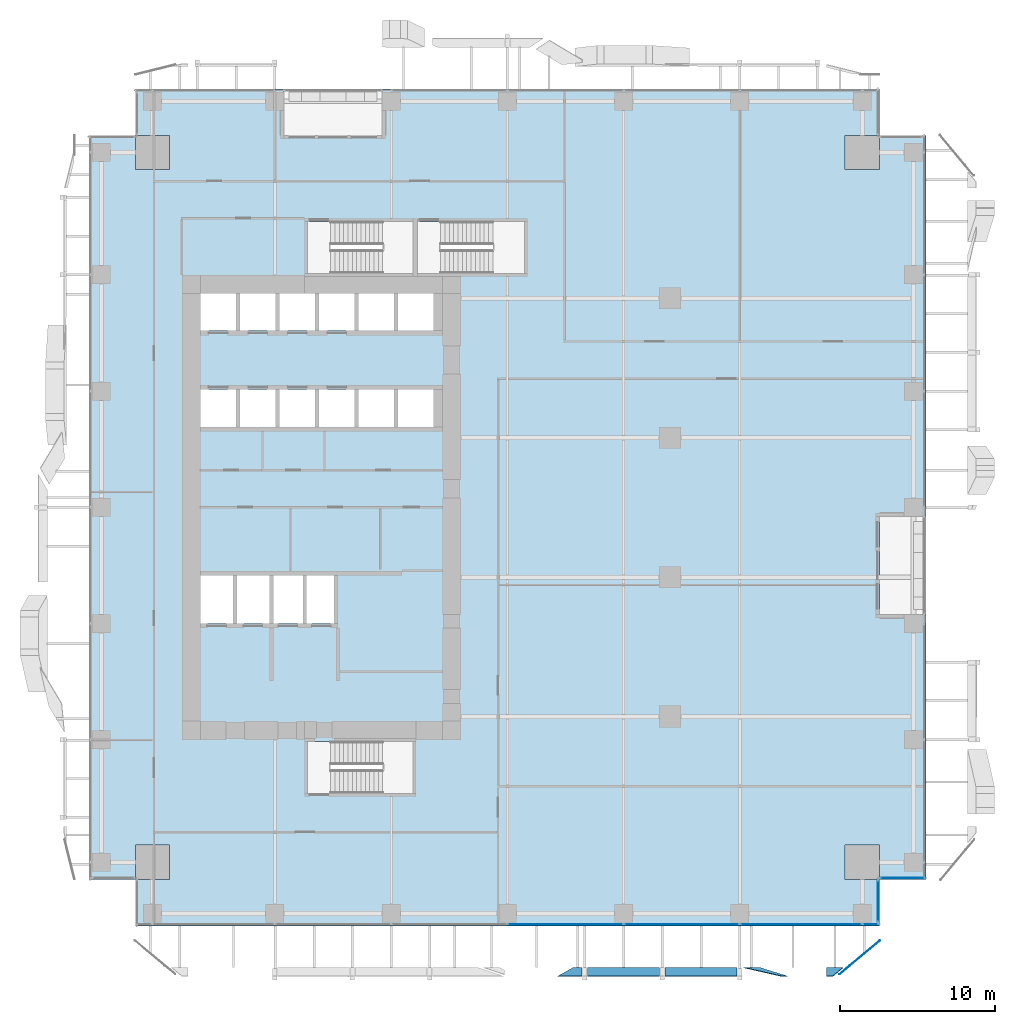
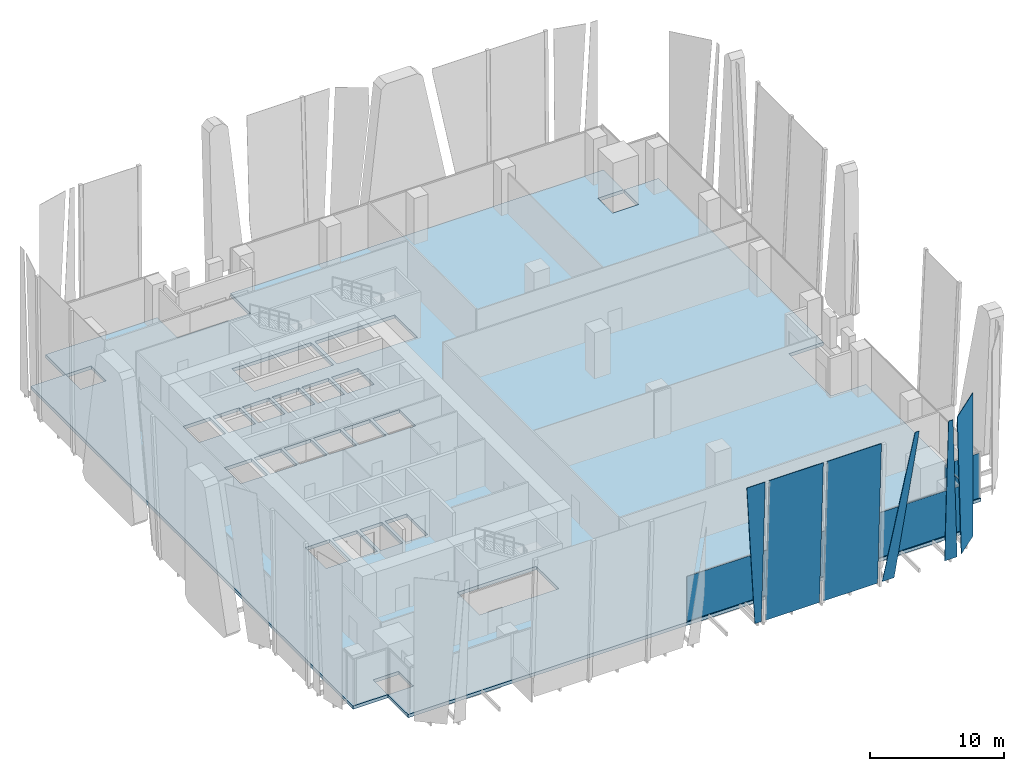
# One storey, part 22 of 34: 12 plates, 1 slab, 3 elements without a shape of their own.
"""IFC4 building model written with IfcOpenShell, lengths in metres."""

from ifc_helpers import new_model, si_unit, direction, frame, origin, origin_2d, place, context, subcontext, project, spatial, polyline, rectangle, outline, extrude, source, transform, mapped, material, layer, layer_set, type_object, element, aggregate, save


model = new_model("IFC4")

# Units and contexts
model_context = context("Model", 3, precision=1e-05, world=origin(), true_north=direction((0.0, 1.0)))
body_context = subcontext(model_context, "Body", "Model", "MODEL_VIEW")
ifc_project = project(units=[si_unit("LENGTHUNIT", "METRE"), si_unit("AREAUNIT", "SQUARE_METRE"), si_unit("VOLUMEUNIT", "CUBIC_METRE"), si_unit("PLANEANGLEUNIT", "RADIAN"), si_unit("MASSUNIT", "GRAM", prefix="KILO")], contexts=[model_context])

# Site, building, storey
site_placement = place(None, origin())
site = spatial("IfcSite", under=ifc_project, at=site_placement, CompositionType="ELEMENT")
building_placement = place(site_placement, origin())
building = spatial("IfcBuilding", under=site, at=building_placement, Name="Khomas Fold Tower", CompositionType="ELEMENT")
storey_placement = place(building_placement, frame((0.0, 0.0, 73.5)))
storey = spatial("IfcBuildingStorey", under=building, at=storey_placement, Name="L15", CompositionType="ELEMENT", Elevation=73.5)

# Plates
ifc_material_1 = material(Name="Clear laminated glass", Category="glass")
ifc_layer_1 = layer(ifc_material_1, 0.0400390625)
ifc_layer_set_1 = layer_set([ifc_layer_1], Name="Clear laminated glass")
plate_type_1 = type_object("IfcPlateType", Name="SK-Clear laminated glass leaf", PredefinedType="SHEET", material=ifc_layer_set_1)
plate_1_placement = place(storey_placement, frame((43.25048828125, -2.673828125, 0.0), z_axis=(0.0, 0.99904235518, 0.043753543365), x_axis=(-1.0, 0.0, 0.0)))
element("IfcPlate", 1, at=plate_1_placement, inside=storey, type_object=plate_type_1, Name="OUTER SKIN glass L15 SG106-10", PredefinedType="SHEET", context=body_context, shape_type="SweptSolid", body=[
    extrude(outline(polyline([(0.0, 0.0), (1.02490234375, 0.0), (-1.481689453125, 13.062558119247583), (-1.83984375, 13.062558119247583), (0.0, 0.0)])), origin(), (0.0, 0.0, -1.0), 0.0400390625),
])
plate_2_placement = place(storey_placement, frame((31.271484375, -2.673828125, 0.0), z_axis=(0.0, 0.99904235518, 0.043753543365), x_axis=(-0.078016962923, -0.043620183951, 0.995997305743)))
element("IfcPlate", 2, at=plate_2_placement, inside=storey, type_object=plate_type_1, Name="OUTER SKIN glass L15 SG103-11", PredefinedType="SHEET", context=body_context, shape_type="SweptSolid", body=[
    extrude(outline(polyline([(0.0, 0.0), (13.102494106029372, 2.220446049250313e-16), (12.979164068204804, 1.575992286428277), (-0.04357978788302877, 0.5568911739533433), (0.0, 0.0)])), origin(), (0.0, 0.0, -1.0), 0.0400390625),
])
plate_3_placement = place(storey_placement, frame((32.169921875, -2.673828125, 0.0), z_axis=(0.0, 0.99904235518, 0.043753543365), x_axis=(0.0, -0.043753543365, 0.99904235518)))
element("IfcPlate", 3, at=plate_3_placement, inside=storey, type_object=plate_type_1, Name="OUTER SKIN glass L15 SG104-13", PredefinedType="SHEET", context=body_context, shape_type="SweptSolid", body=[
    extrude(outline(polyline([(0.0, 0.0), (13.062558119247587, 0.0), (13.062558119247587, 4.66015625), (0.0, 4.66015625), (0.0, 0.0)])), origin(), (0.0, 0.0, -1.0), 0.0400390625),
])
plate_4_placement = place(storey_placement, frame((41.818359375, -2.673828125, 0.0), z_axis=(1.91915e-07, 0.999042355187, 0.043753543193), x_axis=(-1.0, 1.91732e-07, 8.397e-09)))
element("IfcPlate", 4, at=plate_4_placement, inside=storey, type_object=plate_type_1, Name="OUTER SKIN glass L15 SG105-15", PredefinedType="SHEET", context=body_context, shape_type="SweptSolid", body=[
    extrude(outline(polyline([(0.0, 0.0), (4.648437499999915, -7.690194757328929e-24), (4.648437499999915, 13.062558119247585), (-0.011718750000000217, 13.062558119247585), (-0.011718750000343066, 0.061338115265409936), (0.0, 0.0)])), origin(), (0.0, 0.0, -1.0), 0.0400390625),
])
plate_5_placement = place(storey_placement, frame((48.671142578125, -2.673828125, 0.0), z_axis=(0.0, 0.99904235518, 0.043753543365), x_axis=(-1.0, 0.0, 0.0)))
element("IfcPlate", 5, at=plate_5_placement, inside=storey, type_object=plate_type_1, Name="OUTER SKIN glass L15 SG107-17", PredefinedType="SHEET", context=body_context, shape_type="SweptSolid", body=[
    extrude(outline(polyline([(0.0, 0.0), (1.071044921875, 0.0), (1.071044921875, 13.062558119247587), (0.685791015625, 13.062558119247587), (0.0, 0.0)])), origin(), (0.0, 0.0, -1.0), 0.0400390625),
])
plate_6_placement = place(storey_placement, frame((49.097412109375, -2.53759765625, 0.0), z_axis=(-0.640204706101, 0.768204357112, 2.93534e-07), x_axis=(-0.052428497041, -0.04369314373, 0.997668362678)))
element("IfcPlate", 6, at=plate_6_placement, inside=storey, type_object=plate_type_1, Name="OUTER SKIN glass L15 SG107-18", PredefinedType="SHEET", context=body_context, shape_type="SweptSolid", body=[
    extrude(outline(polyline([(0.0, 0.0), (13.080547921850151, 0.0), (12.848315050922533, 3.3948273822806203), (-0.17130579630365056, 2.5041830026849468), (0.0, 0.0)])), origin(), (0.0, 0.0, -1.0), 0.0400390625),
])

# Slab
ifc_material_2 = material(Name="Concrete C40/50", Category="concrete")
ifc_layer_2 = layer(ifc_material_2, 0.300048828125)
ifc_layer_set_2 = layer_set([ifc_layer_2], Name="Concrete C40/50")
slab_type = type_object("IfcSlabType", Name="RC floor slab 300", PredefinedType="FLOOR", material=ifc_layer_set_2)
shared_shape_1 = source(origin(), body_context, "Body", "SweptSolid", [
    extrude(outline(polyline([(0.0, 3.0), (2.9951171875, 3.0), (2.9951171875, 5.205078125), (5.205078125, 5.205078125), (5.205078125, 2.9951171875), (3.0, 2.9951171875), (3.0, 0.0), (51.0, 0.0), (51.0, 2.9951171875), (48.794921875, 2.9951171875), (48.794921875, 5.205078125), (51.0048828125, 5.205078125), (51.0048828125, 3.0), (54.0, 3.0), (54.0, 20.10009765625), (51.0, 20.10009765625), (51.0, 26.39990234375), (54.0, 26.39990234375), (54.0, 51.0), (51.0048828125, 51.0), (51.0048828125, 48.794921875), (48.794921875, 48.794921875), (48.794921875, 51.0048828125), (51.0, 51.0048828125), (51.0, 54.0), (18.89990234375, 54.0), (18.89990234375, 51.0), (12.60009765625, 51.0), (12.60009765625, 54.0), (3.0, 54.0), (3.0, 51.0048828125), (5.205078125, 51.0048828125), (5.205078125, 48.794921875), (2.9951171875, 48.794921875), (2.9951171875, 51.0), (0.0, 51.0), (0.0, 3.0)]), holes=[polyline([(7.199951171875, 19.5), (7.199951171875, 22.60009765625), (9.300048828125, 22.60009765625), (9.300048828125, 19.5), (7.199951171875, 19.5)]), polyline([(7.199951171875, 32.199951171875), (7.199951171875, 34.60009765625), (9.5, 34.60009765625), (9.5, 32.199951171875), (7.199951171875, 32.199951171875)]), polyline([(7.199951171875, 38.39990234375), (7.199951171875, 40.800048828125), (9.5, 40.800048828125), (9.5, 38.39990234375), (7.199951171875, 38.39990234375)]), polyline([(9.550048828125, 19.5), (9.550048828125, 22.60009765625), (11.64990234375, 22.60009765625), (11.64990234375, 19.5), (9.550048828125, 19.5)]), polyline([(9.75, 32.199951171875), (9.75, 34.60009765625), (12.050048828125, 34.60009765625), (12.050048828125, 32.199951171875), (9.75, 32.199951171875)]), polyline([(9.75, 38.39990234375), (9.75, 40.800048828125), (12.050048828125, 40.800048828125), (12.050048828125, 38.39990234375), (9.75, 38.39990234375)]), polyline([(11.89990234375, 19.5), (11.89990234375, 22.60009765625), (13.800048828125, 22.60009765625), (13.800048828125, 19.5), (11.89990234375, 19.5)]), polyline([(12.300048828125, 32.199951171875), (12.300048828125, 34.60009765625), (14.60009765625, 34.60009765625), (14.60009765625, 32.199951171875), (12.300048828125, 32.199951171875)]), polyline([(12.300048828125, 38.39990234375), (12.300048828125, 40.800048828125), (14.60009765625, 40.800048828125), (14.60009765625, 38.39990234375), (12.300048828125, 38.39990234375)]), polyline([(14.050048828125, 19.5), (14.050048828125, 22.60009765625), (15.949951171875, 22.60009765625), (15.949951171875, 19.5), (14.050048828125, 19.5)]), polyline([(14.10009765625, 8.550048828125), (14.10009765625, 11.89990234375), (20.89990234375, 11.89990234375), (20.89990234375, 8.550048828125), (14.10009765625, 8.550048828125)]), polyline([(14.10009765625, 42.10009765625), (14.10009765625, 45.449951171875), (20.89990234375, 45.449951171875), (20.89990234375, 42.10009765625), (14.10009765625, 42.10009765625)]), polyline([(14.85009765625, 32.199951171875), (14.85009765625, 34.60009765625), (17.14990234375, 34.60009765625), (17.14990234375, 32.199951171875), (14.85009765625, 32.199951171875)]), polyline([(14.85009765625, 38.39990234375), (14.85009765625, 40.800048828125), (17.14990234375, 40.800048828125), (17.14990234375, 38.39990234375), (14.85009765625, 38.39990234375)]), polyline([(17.39990234375, 32.199951171875), (17.39990234375, 34.60009765625), (19.699951171875, 34.60009765625), (19.699951171875, 32.199951171875), (17.39990234375, 32.199951171875)]), polyline([(17.39990234375, 38.39990234375), (17.39990234375, 40.800048828125), (19.699951171875, 40.800048828125), (19.699951171875, 38.39990234375), (17.39990234375, 38.39990234375)]), polyline([(19.949951171875, 32.199951171875), (19.949951171875, 34.60009765625), (22.25, 34.60009765625), (22.25, 32.199951171875), (19.949951171875, 32.199951171875)]), polyline([(19.949951171875, 38.39990234375), (19.949951171875, 40.800048828125), (22.25, 40.800048828125), (22.25, 38.39990234375), (19.949951171875, 38.39990234375)]), polyline([(21.199951171875, 42.10009765625), (21.199951171875, 45.449951171875), (28.10009765625, 45.449951171875), (28.10009765625, 42.10009765625), (21.199951171875, 42.10009765625)])]), origin(), (0.0, 0.0, 1.0), 0.300048828125),
])
slab_placement = place(storey_placement, frame((0.0, 0.0, -0.300048828125)))
element("IfcSlab", 7, at=slab_placement, inside=storey, type_object=slab_type, Name="S-L15", PredefinedType="FLOOR", context=body_context, shape_type="MappedRepresentation", body=[
    mapped(shared_shape_1, transform((0.0, 0.0, 0.0))),
])

# Curtain wall, plates
ifc_material_3 = material(Name="Aluminium framed double glazing", Category="aluminium")
curtain_wall_type = type_object("IfcCurtainWallType", Name="SK-Unitised clear-glass wall, growing floors CW1", PredefinedType="NOTDEFINED", material=ifc_material_3)
curtain_wall_1_placement = place(storey_placement, origin())
curtain_wall_1 = element("IfcCurtainWall", 8, at=curtain_wall_1_placement, inside=storey, type_object=curtain_wall_type, Name="CW1 run L15 00-0", PredefinedType="NOTDEFINED")
ifc_material_4 = material(Name="Clear double glazed unit")
ifc_layer_3 = layer(ifc_material_4, 0.031982421875)
ifc_layer_set_3 = layer_set([ifc_layer_3], Name="Clear double glazed unit")
plate_type_2 = type_object("IfcPlateType", Name="SK-Unitised clear-glass wall, growing floors glass panel CW1-P", PredefinedType="CURTAIN_PANEL", material=ifc_layer_set_3)
shared_shape_2 = source(origin(), body_context, "Body", "SweptSolid", [
    extrude(rectangle(XDim=7.840087890625, YDim=0.031982421875, at=origin_2d()), origin(), (0.0, 0.0, 1.0), 4.080078125),
])
plate_7_placement = place(storey_placement, frame((45.949951171875, 0.10009765625, 0.0), z_axis=(0.0, 0.0, 1.0), x_axis=(1.0, 0.0, 0.0)))
plate_7 = element("IfcPlate", 9, at=plate_7_placement, type_object=plate_type_2, Name="CW1 glass panel 7", PredefinedType="CURTAIN_PANEL", context=body_context, shape_type="MappedRepresentation", body=[
    mapped(shared_shape_2, transform((0.0, 0.0, 0.0))),
])
shared_shape_3 = source(origin(), body_context, "Body", "SweptSolid", [
    extrude(rectangle(XDim=7.43994140625, YDim=0.031982421875, at=origin_2d()), origin(), (0.0, 0.0, 1.0), 4.080078125),
])
plate_8_placement = place(storey_placement, frame((30.75, 0.10009765625, 0.0), z_axis=(0.0, 0.0, 1.0), x_axis=(1.0, 0.0, 0.0)))
plate_8 = element("IfcPlate", 10, at=plate_8_placement, type_object=plate_type_2, Name="CW1 glass panel 5", PredefinedType="CURTAIN_PANEL", context=body_context, shape_type="MappedRepresentation", body=[
    mapped(shared_shape_3, transform((0.0, 0.0, 0.0))),
])
plate_9_placement = place(storey_placement, frame((38.25, 0.10009765625, 0.0), z_axis=(0.0, 0.0, 1.0), x_axis=(1.0, 0.0, 0.0)))
plate_9 = element("IfcPlate", 11, at=plate_9_placement, type_object=plate_type_2, Name="CW1 glass panel 6", PredefinedType="CURTAIN_PANEL", context=body_context, shape_type="MappedRepresentation", body=[
    mapped(shared_shape_3, transform((0.0, 0.0, 0.0))),
])
shared_shape_4 = source(origin(), body_context, "Body", "SweptSolid", [
    extrude(rectangle(XDim=1.010009765625, YDim=0.031982421875, at=origin_2d()), origin(), (0.0, 0.0, 1.0), 4.080078125),
])
plate_10_placement = place(storey_placement, frame((50.43505859375, 0.10009765625, 0.0), z_axis=(0.0, 0.0, 1.0), x_axis=(1.0, 0.0, 0.0)))
plate_10 = element("IfcPlate", 12, at=plate_10_placement, type_object=plate_type_2, Name="CW1 glass panel 8", PredefinedType="CURTAIN_PANEL", context=body_context, shape_type="MappedRepresentation", body=[
    mapped(shared_shape_4, transform((0.0, 0.0, 0.0))),
])
aggregate(curtain_wall_1, [plate_8, plate_9, plate_7, plate_10])

# Curtain wall, plate
curtain_wall_2_placement = place(storey_placement, origin())
curtain_wall_2 = element("IfcCurtainWall", 13, at=curtain_wall_2_placement, inside=storey, type_object=curtain_wall_type, Name="CW1 corner return L15 01", PredefinedType="NOTDEFINED")
shared_shape_5 = source(origin(), body_context, "Body", "SweptSolid", [
    extrude(rectangle(XDim=2.679931640625, YDim=0.031982421875, at=origin_2d()), origin(), (0.0, 0.0, 1.0), 4.080078125),
])
plate_11_placement = place(storey_placement, frame((50.89990234375, 1.60009765625, 0.0), z_axis=(0.0, 0.0, 1.0), x_axis=(0.0, 1.0, 0.0)))
plate_11 = element("IfcPlate", 14, at=plate_11_placement, type_object=plate_type_2, Name="CW1 glass panel 1", PredefinedType="CURTAIN_PANEL", context=body_context, shape_type="MappedRepresentation", body=[
    mapped(shared_shape_5, transform((0.0, 0.0, 0.0))),
])
aggregate(curtain_wall_2, [plate_11])

curtain_wall_3_placement = place(storey_placement, origin())
curtain_wall_3 = element("IfcCurtainWall", 15, at=curtain_wall_3_placement, inside=storey, type_object=curtain_wall_type, Name="CW1 corner return L15 02", PredefinedType="NOTDEFINED")
shared_shape_6 = source(origin(), body_context, "Body", "SweptSolid", [
    extrude(rectangle(XDim=2.8798828125, YDim=0.031982421875, at=origin_2d()), origin(), (0.0, 0.0, 1.0), 4.080078125),
])
plate_12_placement = place(storey_placement, frame((52.5, 3.10009765625, 0.0), z_axis=(0.0, 0.0, 1.0), x_axis=(1.0, 0.0, 0.0)))
plate_12 = element("IfcPlate", 16, at=plate_12_placement, type_object=plate_type_2, Name="CW1 glass panel 1", PredefinedType="CURTAIN_PANEL", context=body_context, shape_type="MappedRepresentation", body=[
    mapped(shared_shape_6, transform((0.0, 0.0, 0.0))),
])
aggregate(curtain_wall_3, [plate_12])

save(model, "model.ifc")
